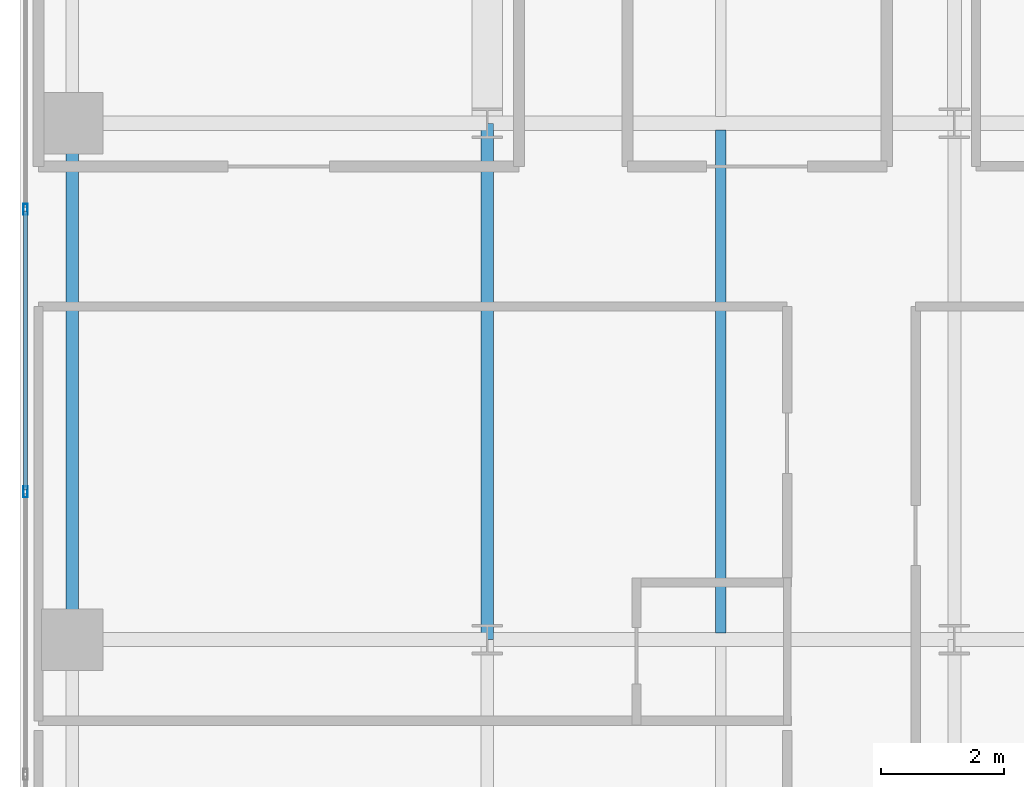
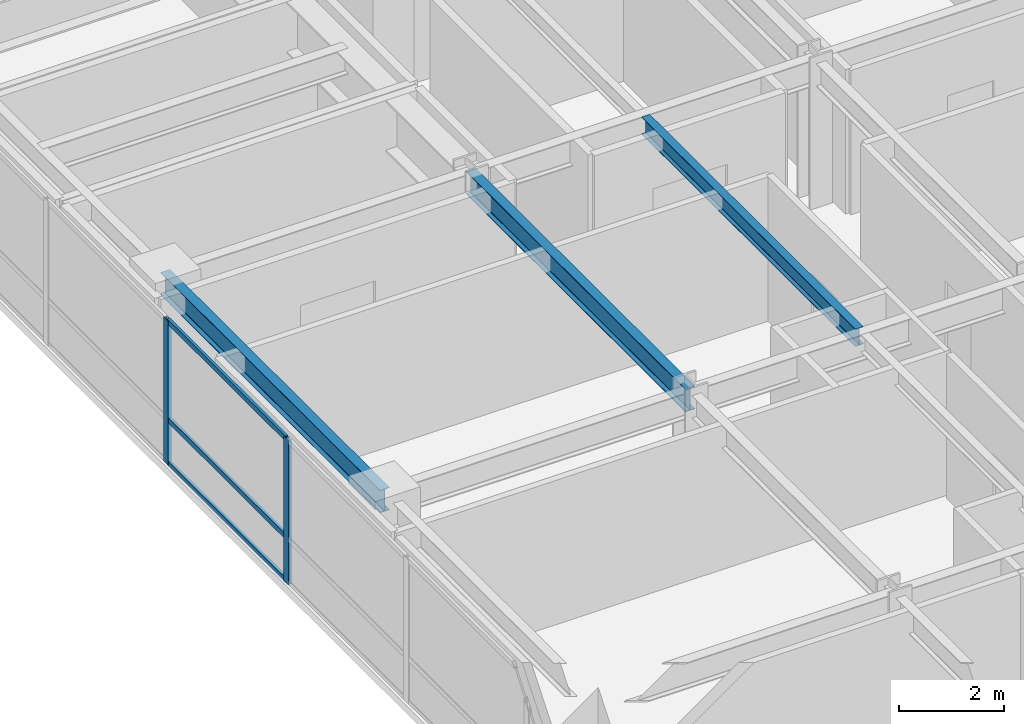
# One storey, part 9 of 30: 5 members, 3 beams, 1 element without a shape of its own.
"""IFC4 building model written with IfcOpenShell, lengths in metres."""

from ifc_helpers import new_model, si_unit, direction, frame, origin, origin_2d, place, context, subcontext, project, spatial, hollow_rectangle, i_section, extrude, source, transform, mapped, material, layer, layer_set, material_profile, profile_set, type_object, type_shapes, element, aggregate, save


model = new_model("IFC4")

# Units and contexts
model_context = context("Model", 3, precision=1e-05, world=origin(), true_north=direction((0.0, 1.0)))
body_context = subcontext(model_context, "Body", "Model", "MODEL_VIEW")
ifc_project = project(units=[si_unit("LENGTHUNIT", "METRE"), si_unit("AREAUNIT", "SQUARE_METRE"), si_unit("VOLUMEUNIT", "CUBIC_METRE"), si_unit("PLANEANGLEUNIT", "RADIAN"), si_unit("MASSUNIT", "GRAM", prefix="KILO")], contexts=[model_context])

# Site, building, storey
site_placement = place(None, origin())
site = spatial("IfcSite", under=ifc_project, at=site_placement, CompositionType="ELEMENT")
building_placement = place(site_placement, origin())
building = spatial("IfcBuilding", under=site, at=building_placement, Name="Tolvann Quenvar Hotel", CompositionType="ELEMENT")
storey_placement = place(building_placement, frame((0.0, 0.0, 56.85009765625)))
storey = spatial("IfcBuildingStorey", under=building, at=storey_placement, Name="L13", CompositionType="ELEMENT", Elevation=56.85009765625)

# Beams
ifc_material_1 = material(Name="Steel Grade 350", Category="steel")
ifc_material_profile_1 = material_profile(ifc_material_1, i_section(OverallWidth=0.208984375, OverallDepth=0.528076171875, WebThickness=0.009521484375, FlangeThickness=0.01318359375, FilletRadius=0.013916015625, at=origin_2d()), Name="530UB82")
ifc_profile_set_1 = profile_set([ifc_material_profile_1], Name="Steel Grade 350")
beam_type_1 = type_object("IfcBeamType", Name="BM_SPAND_530UB82", PredefinedType="SPANDREL", material=ifc_profile_set_1)
shared_shape_1 = source(origin(), body_context, "Body", "SweptSolid", [
    extrude(i_section(OverallWidth=0.208984375, OverallDepth=0.528076171875, WebThickness=0.009521484375, FlangeThickness=0.01318359375, FilletRadius=0.013916015625, at=origin_2d()), origin(), (0.0, 0.0, 1.0), 8.39990234375),
])
type_shapes(beam_type_1, [shared_shape_1])
beam_1_placement = place(storey_placement, frame((0.85009765625, 16.0, 3.10595703125), z_axis=(0.0, 1.0, 0.0), x_axis=(-1.0, 0.0, 0.0)))
element("IfcBeam", 1, at=beam_1_placement, inside=storey, type_object=beam_type_1, Name="BM-L13-NS-B4-B5", PredefinedType="SPANDREL", context=body_context, shape_type="MappedRepresentation", body=[
    mapped(shared_shape_1, transform((0.0, 0.0, 0.0), x_axis=(1.0, 0.0, 0.0), y_axis=(0.0, 1.0, 0.0), z_axis=(0.0, 0.0, 1.0), scale=1.0)),
])
ifc_material_profile_2 = material_profile(ifc_material_1, i_section(OverallWidth=0.208984375, OverallDepth=0.532958984375, WebThickness=0.01025390625, FlangeThickness=0.015625, FilletRadius=0.013916015625, at=origin_2d()), Name="530UB92")
ifc_profile_set_2 = profile_set([ifc_material_profile_2], Name="Steel Grade 350")
beam_type_2 = type_object("IfcBeamType", Name="BM_GIRD_530UB92", PredefinedType="BEAM", material=ifc_profile_set_2)
shared_shape_2 = source(origin(), body_context, "Body", "SweptSolid", [
    extrude(i_section(OverallWidth=0.208984375, OverallDepth=0.532958984375, WebThickness=0.01025390625, FlangeThickness=0.015625, FilletRadius=0.013916015625, at=origin_2d()), origin(), (0.0, 0.0, 1.0), 8.39990234375),
])
type_shapes(beam_type_2, [shared_shape_2])
beam_2_placement = place(storey_placement, frame((7.60009765625, 16.0, 3.103515625), z_axis=(0.0, 1.0, 0.0), x_axis=(-1.0, 0.0, 0.0)))
element("IfcBeam", 2, at=beam_2_placement, inside=storey, type_object=beam_type_2, Name="BM-L13-NS-C4-C5", PredefinedType="BEAM", context=body_context, shape_type="MappedRepresentation", body=[
    mapped(shared_shape_2, transform((0.0, 0.0, 0.0), x_axis=(1.0, 0.0, 0.0), y_axis=(0.0, 1.0, 0.0), z_axis=(0.0, 0.0, 1.0), scale=1.0)),
])
ifc_material_profile_3 = material_profile(ifc_material_1, i_section(OverallWidth=0.177978515625, OverallDepth=0.406005859375, WebThickness=0.0078125, FlangeThickness=0.0126953125, FilletRadius=0.011474609375, at=origin_2d()), Name="410UB60")
ifc_profile_set_3 = profile_set([ifc_material_profile_3], Name="Steel Grade 350")
beam_type_3 = type_object("IfcBeamType", Name="BM_JOIST_410UB60", PredefinedType="JOIST", material=ifc_profile_set_3)
shared_shape_3 = source(origin(), body_context, "Body", "SweptSolid", [
    extrude(i_section(OverallWidth=0.177978515625, OverallDepth=0.406005859375, WebThickness=0.0078125, FlangeThickness=0.0126953125, FilletRadius=0.011474609375, at=origin_2d()), origin(), (0.0, 0.0, 1.0), 8.18310546875),
])
type_shapes(beam_type_3, [shared_shape_3])
beam_3_placement = place(storey_placement, frame((11.39990234375, 16.1083984375, 3.1669921875), z_axis=(0.0, 1.0, 0.0), x_axis=(-1.0, 0.0, 0.0)))
element("IfcBeam", 3, at=beam_3_placement, inside=storey, type_object=beam_type_3, Name="BJ-L13-114-160", PredefinedType="JOIST", context=body_context, shape_type="MappedRepresentation", body=[
    mapped(shared_shape_3, transform((0.0, 0.0, 0.0), x_axis=(1.0, 0.0, 0.0), y_axis=(0.0, 1.0, 0.0), z_axis=(0.0, 0.0, 1.0), scale=1.0)),
])

# Curtain wall, members
ifc_material_2 = material(Name="Thermally broken anodised architectural aluminium 6063-T6 and laminated low-E glass", Category="aluminium")
ifc_layer = layer(ifc_material_2, 0.179931640625)
ifc_layer_set = layer_set([ifc_layer], Name="Thermally broken anodised architectural aluminium 6063-T6 and laminated low-E glass")
curtain_wall_type = type_object("IfcCurtainWallType", Name="CW_SYS_BAND_04", PredefinedType="USERDEFINED", material=ifc_layer_set)
curtain_wall_placement = place(storey_placement, origin())
curtain_wall = element("IfcCurtainWall", 4, at=curtain_wall_placement, inside=storey, type_object=curtain_wall_type, Name="Curtain Wall CW-BAND-04 (CWR-L13-E23)", ObjectType="UNITISED CURTAIN WALL", PredefinedType="USERDEFINED")
ifc_material_3 = material(Name="Anodised architectural aluminium 6063-T6 framing", Category="aluminium")
ifc_material_profile_4 = material_profile(ifc_material_3, hollow_rectangle(XDim=0.070068359375, YDim=0.179931640625, WallThickness=0.00390625, at=origin_2d()), Name="180x70x4RHS")
ifc_profile_set_4 = profile_set([ifc_material_profile_4], Name="Anodised architectural aluminium 6063-T6 framing")
member_type_1 = type_object("IfcMemberType", Name="CW_MULL_180x70", PredefinedType="MULLION", material=ifc_profile_set_4)
shared_shape_4 = source(origin(), body_context, "Body", "SweptSolid", [
    extrude(hollow_rectangle(XDim=0.070068359375, YDim=0.179931640625, WallThickness=0.00390625, at=origin_2d()), origin(), (0.0, 0.0, 1.0), 3.369873046875),
])
type_shapes(member_type_1, [shared_shape_4])
member_1_placement = place(storey_placement, frame((0.090087890625, 23.0, 0.0), z_axis=(0.0, 0.0, 1.0), x_axis=(1.0, 0.0, 0.0)))
member_1 = element("IfcMember", 5, at=member_1_placement, type_object=member_type_1, Name="CW-BAND-04 mullion 5", PredefinedType="MULLION", context=body_context, shape_type="MappedRepresentation", body=[
    mapped(shared_shape_4, transform((0.0, 0.0, 0.0), x_axis=(1.0, 0.0, 0.0), y_axis=(0.0, 1.0, 0.0), z_axis=(0.0, 0.0, 1.0), scale=1.0)),
])
member_2_placement = place(storey_placement, frame((0.090087890625, 18.404296875, 0.0), z_axis=(0.0, 0.0, 1.0), x_axis=(1.0, 0.0, 0.0)))
member_2 = element("IfcMember", 6, at=member_2_placement, type_object=member_type_1, Name="CW-BAND-04 mullion 6", PredefinedType="MULLION", context=body_context, shape_type="MappedRepresentation", body=[
    mapped(shared_shape_4, transform((0.0, 0.0, 0.0), x_axis=(1.0, 0.0, 0.0), y_axis=(0.0, 1.0, 0.0), z_axis=(0.0, 0.0, 1.0), scale=1.0)),
])
ifc_material_profile_5 = material_profile(ifc_material_3, hollow_rectangle(XDim=0.06005859375, YDim=0.1201171875, WallThickness=0.00341796875, at=origin_2d()), Name="120x60x3.5RHS")
ifc_profile_set_5 = profile_set([ifc_material_profile_5], Name="Anodised architectural aluminium 6063-T6 framing")
member_type_2 = type_object("IfcMemberType", Name="CW_TRAN_120x60", PredefinedType="USERDEFINED", material=ifc_profile_set_5)
shared_shape_5 = source(origin(), body_context, "Body", "SweptSolid", [
    extrude(hollow_rectangle(XDim=0.06005859375, YDim=0.1201171875, WallThickness=0.00341796875, at=origin_2d()), origin(), (0.0, 0.0, 1.0), 4.52587890625),
])
type_shapes(member_type_2, [shared_shape_5])
member_3_placement = place(storey_placement, frame((0.090087890625, 22.965087890625, 0.02978515625), z_axis=(0.0, -1.0, 0.0), x_axis=(1.0, 0.0, 0.0)))
member_3 = element("IfcMember", 7, at=member_3_placement, type_object=member_type_2, Name="CW-BAND-04 transom 5.1", ObjectType="TRANSOM", PredefinedType="USERDEFINED", context=body_context, shape_type="MappedRepresentation", body=[
    mapped(shared_shape_5, transform((0.0, 0.0, 0.0), x_axis=(1.0, 0.0, 0.0), y_axis=(0.0, 1.0, 0.0), z_axis=(0.0, 0.0, 1.0), scale=1.0)),
])
member_4_placement = place(storey_placement, frame((0.090087890625, 22.965087890625, 1.0498046875), z_axis=(0.0, -1.0, 0.0), x_axis=(1.0, 0.0, 0.0)))
member_4 = element("IfcMember", 8, at=member_4_placement, type_object=member_type_2, Name="CW-BAND-04 transom 5.2", ObjectType="TRANSOM", PredefinedType="USERDEFINED", context=body_context, shape_type="MappedRepresentation", body=[
    mapped(shared_shape_5, transform((0.0, 0.0, 0.0), x_axis=(1.0, 0.0, 0.0), y_axis=(0.0, 1.0, 0.0), z_axis=(0.0, 0.0, 1.0), scale=1.0)),
])
member_5_placement = place(storey_placement, frame((0.090087890625, 22.965087890625, 3.33984375), z_axis=(0.0, -1.0, 0.0), x_axis=(1.0, 0.0, 0.0)))
member_5 = element("IfcMember", 9, at=member_5_placement, type_object=member_type_2, Name="CW-BAND-04 transom 5.3", ObjectType="TRANSOM", PredefinedType="USERDEFINED", context=body_context, shape_type="MappedRepresentation", body=[
    mapped(shared_shape_5, transform((0.0, 0.0, 0.0), x_axis=(1.0, 0.0, 0.0), y_axis=(0.0, 1.0, 0.0), z_axis=(0.0, 0.0, 1.0), scale=1.0)),
])
aggregate(curtain_wall, [member_1, member_2, member_3, member_4, member_5])

save(model, "model.ifc")
